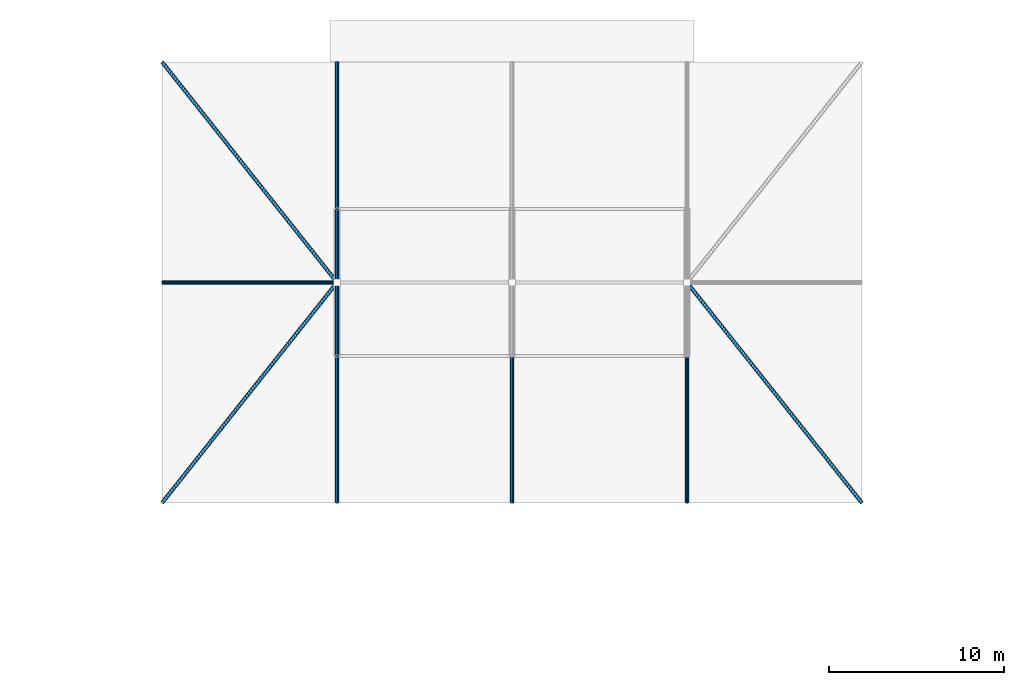
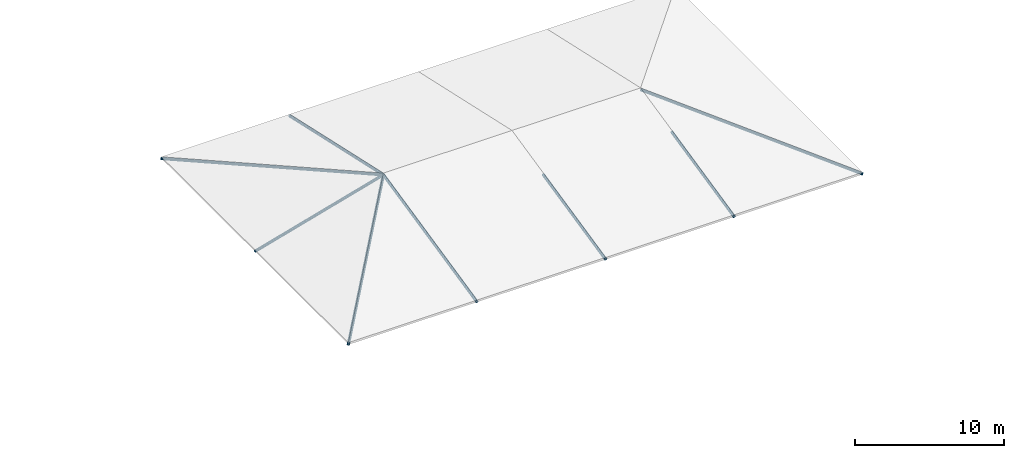
# One storey, part 54 of 93: 10 members.
"""IFC4 building model written with IfcOpenShell, lengths in metres."""

from ifc_helpers import new_model, si_unit, derived_unit, direction, frame, origin, origin_2d_with_axis, place, context, subcontext, project, spatial, hollow_circle, extrude, material, material_profile, profile_set, type_object, element, save


model = new_model("IFC4")

# Units and contexts
model_context = context("Model", 3, precision=1e-05, world=origin(), true_north=direction((0.0, 1.0)))
body_context = subcontext(model_context, "Body", "Model", "MODEL_VIEW")
ifc_project = project(units=[si_unit("LENGTHUNIT", "METRE"), si_unit("AREAUNIT", "SQUARE_METRE"), si_unit("VOLUMEUNIT", "CUBIC_METRE"), si_unit("PLANEANGLEUNIT", "RADIAN"), si_unit("MASSUNIT", "GRAM", prefix="KILO"), derived_unit("THERMALTRANSMITTANCEUNIT", [(si_unit("POWERUNIT", "WATT"), 1), (si_unit("LENGTHUNIT", "METRE"), -2), (si_unit("THERMODYNAMICTEMPERATUREUNIT", "KELVIN"), -1)])], contexts=[model_context])

# Site, building, storey
site_placement = place(None, origin())
site = spatial("IfcSite", under=ifc_project, at=site_placement, CompositionType="ELEMENT")
building_placement = place(site_placement, origin())
building = spatial("IfcBuilding", under=site, at=building_placement, Name="Cinnabar Yard Market Hall", CompositionType="ELEMENT")
storey_placement = place(building_placement, frame((0.0, 0.0, 23.800048828125)))
storey = spatial("IfcBuildingStorey", under=building, at=storey_placement, Name="ROOF", CompositionType="ELEMENT", Elevation=23.800048828125)

# Members
ifc_material = material(Name="Cold-formed steel C350L0", Category="steel")
ifc_material_profile = material_profile(ifc_material, hollow_circle(Radius=0.109619140625, WallThickness=0.00830078125, at=origin_2d_with_axis()), Name="219.1x8.2CHS")
ifc_profile_set = profile_set([ifc_material_profile], Name="Cold-formed steel C350L0")
member_type = type_object("IfcMemberType", Name="MB-BC02", PredefinedType="CHORD", material=ifc_profile_set)
member_1_placement = place(storey_placement, frame((106.0, 112.800048828125, -5.199951171875), z_axis=(0.0, 0.976107557975, 0.217287908694), x_axis=(-1.0, 0.0, 0.0)))
element("IfcMember", 1, at=member_1_placement, inside=storey, type_object=member_type, Name="Belvedere Rafter 106-112", PredefinedType="CHORD", context=body_context, shape_type="SweptSolid", body=[
    extrude(hollow_circle(Radius=0.109619140625, WallThickness=0.00830078125, at=origin_2d_with_axis()), origin(), (0.0, 0.0, 1.0), 8.60546875),
])
member_2_placement = place(storey_placement, frame((106.0, 121.199951171875, -3.330078125), z_axis=(0.0, 0.976353697207, 0.216179226453), x_axis=(-1.0, 0.0, 0.0)))
element("IfcMember", 2, at=member_2_placement, inside=storey, type_object=member_type, Name="Belvedere Rafter 106-121", PredefinedType="CHORD", context=body_context, shape_type="SweptSolid", body=[
    extrude(hollow_circle(Radius=0.109619140625, WallThickness=0.00830078125, at=origin_2d_with_axis()), origin(), (0.0, 0.0, 1.0), 4.3017578125),
])
member_3_placement = place(storey_placement, frame((106.0, 125.39990234375, -2.400146484375), z_axis=(0.0, 0.976356349337, -0.216167248002), x_axis=(-1.0, 0.0, 0.0)))
element("IfcMember", 3, at=member_3_placement, inside=storey, type_object=member_type, Name="Belvedere Rafter 106-125", PredefinedType="CHORD", context=body_context, shape_type="SweptSolid", body=[
    extrude(hollow_circle(Radius=0.109619140625, WallThickness=0.00830078125, at=origin_2d_with_axis()), origin(), (0.0, 0.0, 1.0), 4.302001953125),
])
for number, where, z_axis, x_axis, name in (
    (4, (106.0, 129.60009765625, -3.330078125), (0.0, 0.976107557975, -0.217287908694), (-1.0, 0.0, 0.0), "Belvedere Rafter 106-129"),
    (5, (116.0, 112.800048828125, -5.199951171875), (0.0, 0.976107557975, 0.217287908694), (-1.0, 0.0, 0.0), "Belvedere Rafter 116-112"),
    (6, (126.0, 112.800048828125, -5.199951171875), (0.0, 0.976107557975, 0.217287908694), (-1.0, 0.0, 0.0), "Belvedere Rafter 126-112"),
):
    element("IfcMember", number, at=place(storey_placement, frame(where, z_axis=z_axis, x_axis=x_axis)), inside=storey, type_object=member_type, Name=name, PredefinedType="CHORD", context=body_context, shape_type="SweptSolid", body=[
        extrude(hollow_circle(Radius=0.109619140625, WallThickness=0.00830078125, at=origin_2d_with_axis()), origin(), (0.0, 0.0, 1.0), 8.60546875),
    ])
member_4_placement = place(storey_placement, frame((96.0, 112.800048828125, -5.199951171875), z_axis=(0.612454492981, 0.771683689654, 0.171475296033), x_axis=(-0.7832853838, 0.621662293794, 0.0)))
element("IfcMember", 7, at=member_4_placement, inside=storey, type_object=member_type, Name="Belvedere Hip Rafter WS", PredefinedType="CHORD", context=body_context, shape_type="SweptSolid", body=[
    extrude(hollow_circle(Radius=0.109619140625, WallThickness=0.00830078125, at=origin_2d_with_axis()), origin(), (0.0, 0.0, 1.0), 16.32763671875),
])
member_5_placement = place(storey_placement, frame((96.0, 138.0, -5.199951171875), z_axis=(0.612447426166, -0.771689737901, 0.171473317463), x_axis=(0.783291249176, 0.621654903434, 0.0)))
element("IfcMember", 8, at=member_5_placement, inside=storey, type_object=member_type, Name="Belvedere Hip Rafter WN", PredefinedType="CHORD", context=body_context, shape_type="SweptSolid", body=[
    extrude(hollow_circle(Radius=0.109619140625, WallThickness=0.00830078125, at=origin_2d_with_axis()), origin(), (0.0, 0.0, 1.0), 16.327880859375),
])
member_6_placement = place(storey_placement, frame((96.0, 125.39990234375, -5.199951171875), z_axis=(0.962968902935, 0.0, 0.269612484836), x_axis=(0.0, 1.0, 0.0)))
element("IfcMember", 9, at=member_6_placement, inside=storey, type_object=member_type, Name="Belvedere Hip Rafter WM", PredefinedType="CHORD", context=body_context, shape_type="SweptSolid", body=[
    extrude(hollow_circle(Radius=0.109619140625, WallThickness=0.00830078125, at=origin_2d_with_axis()), origin(), (0.0, 0.0, 1.0), 10.384521484375),
])
member_7_placement = place(storey_placement, frame((136.0, 112.800048828125, -5.199951171875), z_axis=(-0.612454492981, 0.771683689654, 0.171475296033), x_axis=(-0.7832853838, -0.621662293794, 0.0)))
element("IfcMember", 10, at=member_7_placement, inside=storey, type_object=member_type, Name="Belvedere Hip Rafter ES", PredefinedType="CHORD", context=body_context, shape_type="SweptSolid", body=[
    extrude(hollow_circle(Radius=0.109619140625, WallThickness=0.00830078125, at=origin_2d_with_axis()), origin(), (0.0, 0.0, 1.0), 16.32763671875),
])

save(model, "model.ifc")
